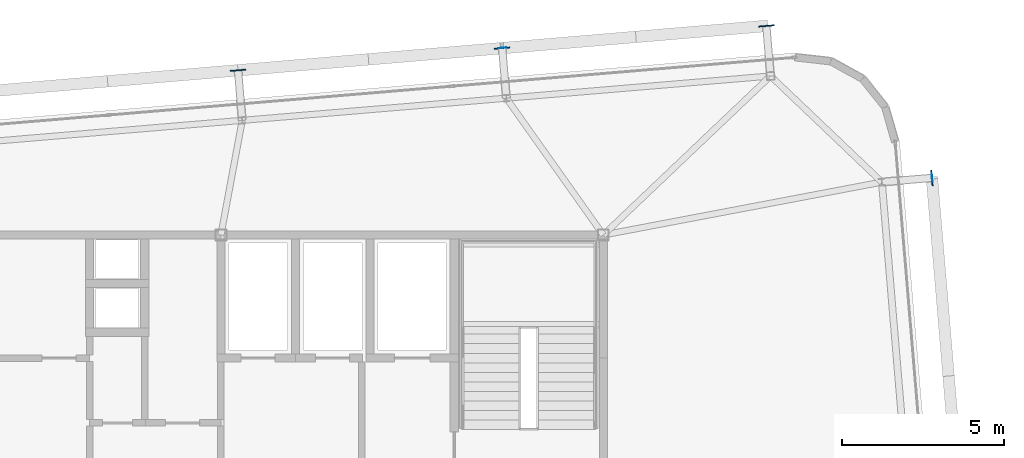
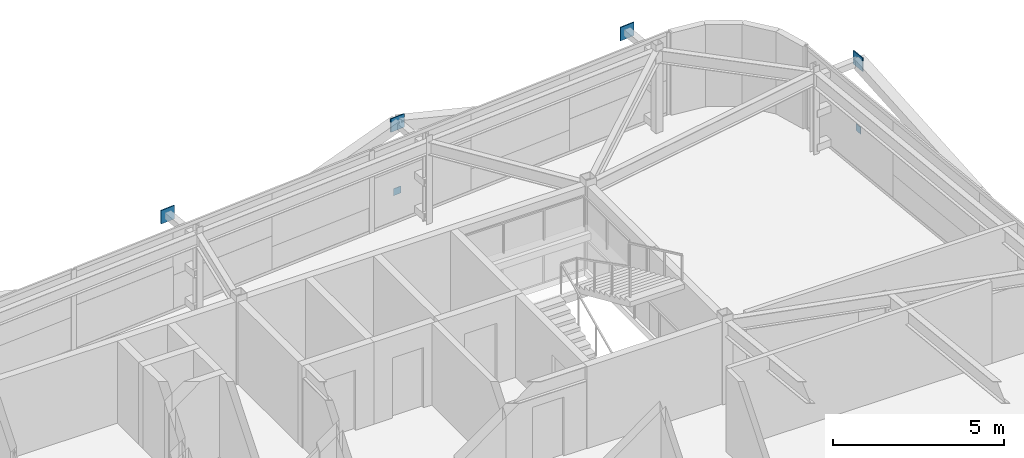
# One storey, part 32 of 37: 6 plates.
"""IFC4 building model written with IfcOpenShell, lengths in metres."""

from ifc_helpers import new_model, si_unit, direction, frame, origin, origin_2d, place, context, subcontext, project, spatial, rectangle, extrude, source, transform, mapped, material, layer, layer_set, type_object, element, save


model = new_model("IFC4")

# Units and contexts
model_context = context("Model", 3, precision=1e-05, world=origin(), true_north=direction((0.0, 1.0)))
body_context = subcontext(model_context, "Body", "Model", "MODEL_VIEW")
ifc_project = project(units=[si_unit("LENGTHUNIT", "METRE"), si_unit("AREAUNIT", "SQUARE_METRE"), si_unit("VOLUMEUNIT", "CUBIC_METRE"), si_unit("PLANEANGLEUNIT", "RADIAN"), si_unit("MASSUNIT", "GRAM", prefix="KILO")], contexts=[model_context])

# Site, building, storey
site_placement = place(None, origin())
site = spatial("IfcSite", under=ifc_project, at=site_placement, CompositionType="ELEMENT")
building_placement = place(site_placement, origin())
building = spatial("IfcBuilding", under=site, at=building_placement, Name="Taldren Reach Tower", CompositionType="ELEMENT")
storey_placement = place(building_placement, frame((0.0, 0.0, 200.89990234375)))
storey = spatial("IfcBuildingStorey", under=building, at=storey_placement, Name="L61", CompositionType="ELEMENT", Elevation=200.89990234375)

# Plates
ifc_material_1 = material(Name="Steel Gr 350 (C350L0)", Category="steel")
ifc_layer_1 = layer(ifc_material_1, 0.011962890625)
ifc_layer_set_1 = layer_set([ifc_layer_1], Name="Steel Gr 350 (C350L0)")
plate_type_1 = type_object("IfcPlateType", Name="PL-CAP-250", PredefinedType="SHEET", material=ifc_layer_set_1)
shared_shape_1 = source(origin(), body_context, "Body", "SweptSolid", [
    extrude(rectangle(XDim=0.25, YDim=0.011962890625, at=origin_2d()), origin(), (0.0, 0.0, 1.0), 0.25),
])
plate_1_placement = place(storey_placement, frame((47.87890625, 37.77197265625, 0.09521484375), z_axis=(0.0, 0.0, 1.0), x_axis=(0.99649285925, 0.083677843332, 0.0)))
element("IfcPlate", 1, at=plate_1_placement, inside=storey, type_object=plate_type_1, Name="Tie strut end cap plate B4-N5 L61", PredefinedType="SHEET", context=body_context, shape_type="MappedRepresentation", body=[
    mapped(shared_shape_1, transform((0.0, 0.0, 0.0), scale=1.0)),
])
shared_shape_2 = source(origin(), body_context, "Body", "SweptSolid", [
    extrude(rectangle(XDim=0.011962890625, YDim=0.25, at=origin_2d()), origin(), (0.0, 0.0, 1.0), 0.25),
])
plate_2_placement = place(storey_placement, frame((61.14697265625, 33.76220703125, 0.09521484375), z_axis=(0.0, 0.0, 1.0), x_axis=(0.99649285925, 0.083677843332, 0.0)))
element("IfcPlate", 2, at=plate_2_placement, inside=storey, type_object=plate_type_1, Name="Tie strut end cap plate B4-E3 L61", PredefinedType="SHEET", context=body_context, shape_type="MappedRepresentation", body=[
    mapped(shared_shape_2, transform((0.0, 0.0, 0.0), scale=1.0)),
])
ifc_material_2 = material(Name="Steel Gr 450 (C450L0)", Category="steel")
ifc_layer_2 = layer(ifc_material_2, 0.031982421875)
ifc_layer_set_2 = layer_set([ifc_layer_2], Name="Steel Gr 450 (C450L0)")
plate_type_2 = type_object("IfcPlateType", Name="PL-GUSSET-32", PredefinedType="SHEET", material=ifc_layer_set_2)
shared_shape_3 = source(origin(), body_context, "Body", "SweptSolid", [
    extrude(rectangle(XDim=0.47998046875, YDim=0.031982421875, at=origin_2d()), origin(), (0.0, 0.0, 1.0), 0.47998046875),
])
for number, where, z_axis, x_axis, name in (
    (3, (39.72802734375, 37.08154296875, 2.41015625), (0.0, 0.0, 1.0), (0.99649285925, 0.083677843332, 0.0), "Exoskeleton star-node gusset plate B4-N4 L61"),
    (4, (47.87939453125, 37.76611328125, 2.41015625), (0.0, 0.0, 1.0), (0.99649285925, 0.083677843332, 0.0), "Exoskeleton star-node gusset plate B4-N5 L61"),
    (5, (56.03076171875, 38.450439453125, 2.41015625), (0.0, 0.0, 1.0), (0.99649285925, 0.083677843332, 0.0), "Exoskeleton star-node gusset plate B4-N6 L61"),
    (6, (61.140869140625, 33.76171875, 2.41015625), (0.0, 0.0, 1.0), (-0.083677843332, 0.99649285925, 0.0), "Exoskeleton star-node gusset plate B4-E3 L61"),
):
    element("IfcPlate", number, at=place(storey_placement, frame(where, z_axis=z_axis, x_axis=x_axis)), inside=storey, type_object=plate_type_2, Name=name, PredefinedType="SHEET", context=body_context, shape_type="MappedRepresentation", body=[
        mapped(shared_shape_3, transform((0.0, 0.0, 0.0), scale=1.0)),
    ])

save(model, "model.ifc")
